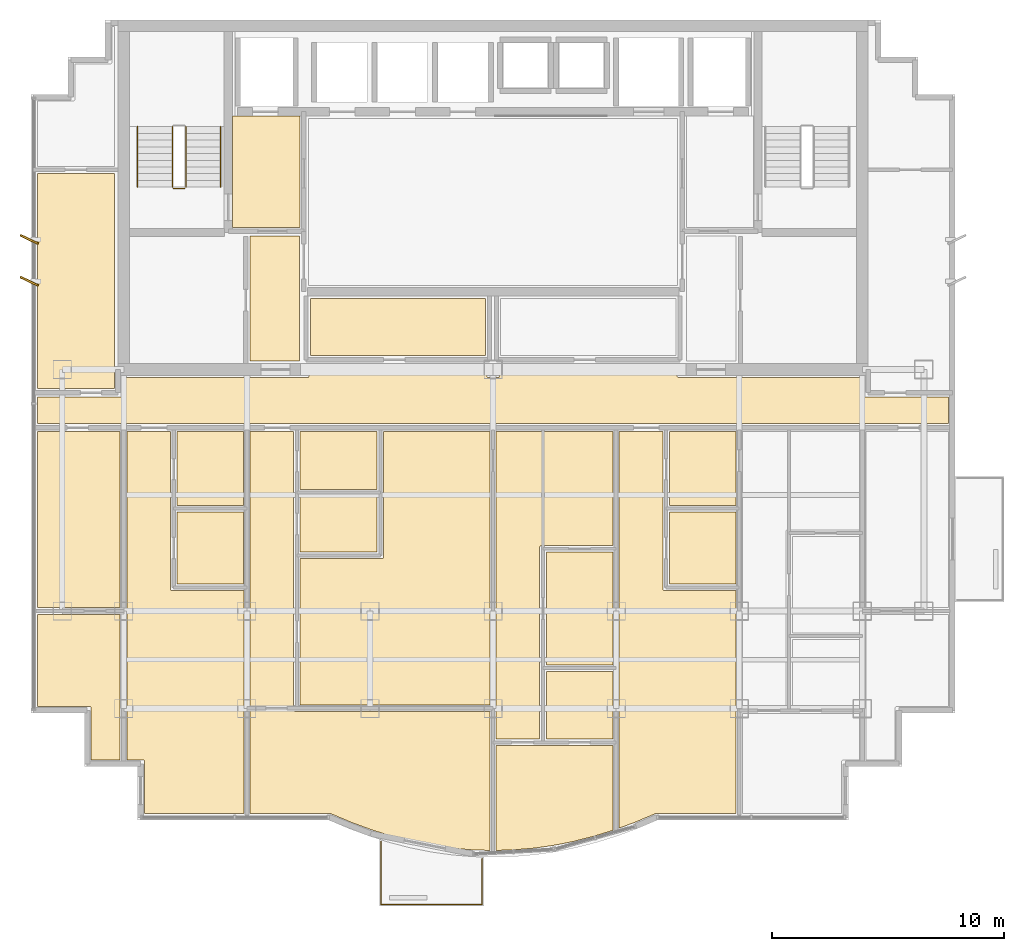
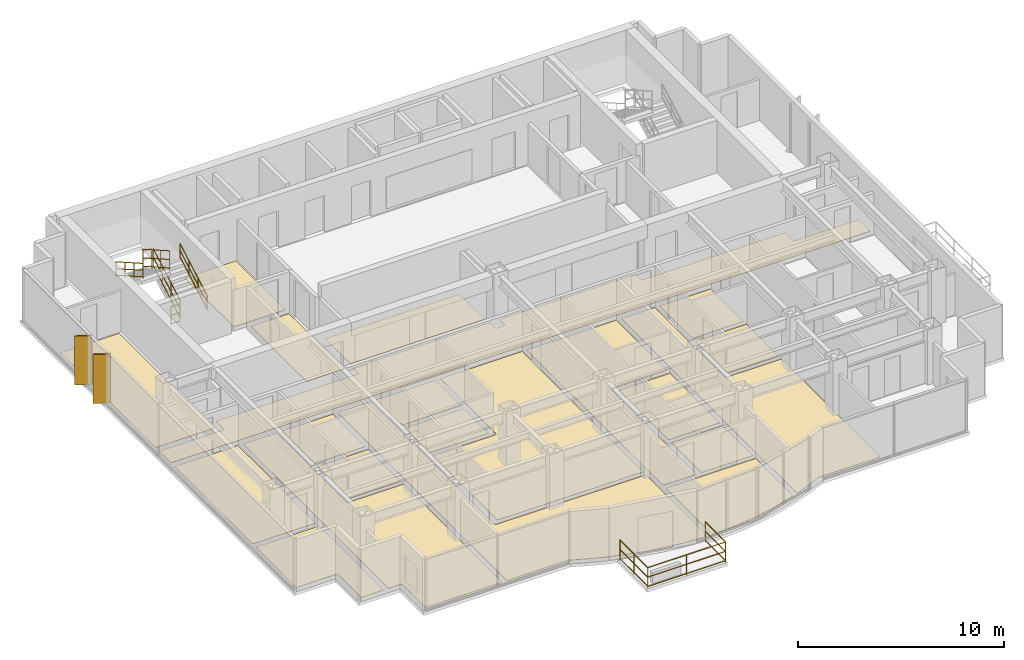
# One storey, part 10 of 11: 21 coverings, 6 railings, 2 shading devices.
"""IFC4 building model written with IfcOpenShell, lengths in metres."""

from ifc_helpers import new_model, si_unit, direction, frame, origin, origin_2d, place, context, subcontext, project, spatial, polyline, rectangle, circle, outline, extrude, source, transform, mapped, material, layer, layer_set, type_object, element, save


model = new_model("IFC4")

# Units and contexts
model_context = context("Model", 3, precision=1e-05, world=origin(), true_north=direction((0.0, 1.0)))
body_context = subcontext(model_context, "Body", "Model", "MODEL_VIEW")
ifc_project = project(units=[si_unit("LENGTHUNIT", "METRE"), si_unit("AREAUNIT", "SQUARE_METRE"), si_unit("VOLUMEUNIT", "CUBIC_METRE"), si_unit("PLANEANGLEUNIT", "RADIAN"), si_unit("MASSUNIT", "GRAM", prefix="KILO")], contexts=[model_context])

# Site, building, storey
site_placement = place(None, origin())
site = spatial("IfcSite", under=ifc_project, at=site_placement, CompositionType="ELEMENT")
building_placement = place(site_placement, origin())
building = spatial("IfcBuilding", under=site, at=building_placement, Name="Qianlan Lanfeng Residences", CompositionType="ELEMENT")
storey_placement = place(building_placement, frame((0.0, 0.0, 206.60009765625)))
storey = spatial("IfcBuildingStorey", under=building, at=storey_placement, Name="L56", CompositionType="ELEMENT", Elevation=206.60009765625)

# Coverings
ifc_material_1 = material(Name="Honed Taitung Granite Stone Flooring", Category="masonry")
ifc_layer_1 = layer(ifc_material_1, 0.030029296875)
ifc_layer_set_1 = layer_set([ifc_layer_1], Name="Honed Taitung Granite Stone Flooring")
covering_type_1 = type_object("IfcCoveringType", Name="FLR-STN-30", PredefinedType="FLOORING", material=ifc_layer_set_1)
covering_1_placement = place(storey_placement, origin())
element("IfcCovering", 1, at=covering_1_placement, inside=storey, type_object=covering_type_1, Name="L56 Firefighting Lift Lobby Floor Finish", PredefinedType="FLOORING", context=body_context, shape_type="SweptSolid", body=[
    extrude(outline(polyline([(15.2900390625, 31.320068359375), (18.179931640625, 31.320068359375), (18.179931640625, 36.110107421875), (15.2900390625, 36.110107421875), (15.2900390625, 31.320068359375)])), origin(), (0.0, 0.0, 1.0), 0.02978515625),
])
covering_2_placement = place(storey_placement, origin())
element("IfcCovering", 2, at=covering_2_placement, inside=storey, type_object=covering_type_1, Name="L56 Residential Corridor Floor Finish", PredefinedType="FLOORING", context=body_context, shape_type="SweptSolid", body=[
    extrude(outline(polyline([(6.889892578125, 22.8798828125), (46.110107421875, 22.8798828125), (46.110107421875, 24.02001953125), (42.5400390625, 24.02001953125), (42.532958984375, 24.02001953125), (42.52587890625, 24.02099609375), (42.52001953125, 24.02294921875), (42.512939453125, 24.02490234375), (42.507080078125, 24.028076171875), (42.5009765625, 24.031982421875), (42.49609375, 24.035888671875), (42.490966796875, 24.041015625), (42.486083984375, 24.0458984375), (42.48193359375, 24.051025390625), (42.47802734375, 24.056884765625), (42.47509765625, 24.06298828125), (42.472900390625, 24.070068359375), (42.470947265625, 24.075927734375), (42.469970703125, 24.0830078125), (42.469970703125, 24.090087890625), (42.469970703125, 24.85009765625), (34.5, 24.85009765625), (34.492919921875, 24.85009765625), (34.486083984375, 24.85107421875), (34.47998046875, 24.85302734375), (34.472900390625, 24.85498046875), (34.467041015625, 24.85791015625), (34.4609375, 24.862060546875), (34.4560546875, 24.865966796875), (34.450927734375, 24.87109375), (34.446044921875, 24.8759765625), (34.44189453125, 24.881103515625), (34.43798828125, 24.886962890625), (34.43505859375, 24.89306640625), (34.43310546875, 24.89990234375), (34.430908203125, 24.906005859375), (34.429931640625, 24.9130859375), (34.429931640625, 24.919921875), (34.429931640625, 25.429931640625), (26.77001953125, 25.429931640625), (26.77001953125, 24.919921875), (26.77001953125, 24.9130859375), (26.76904296875, 24.906005859375), (26.76708984375, 24.89990234375), (26.764892578125, 24.89306640625), (26.761962890625, 24.886962890625), (26.758056640625, 24.881103515625), (26.75390625, 24.8759765625), (26.7490234375, 24.87109375), (26.743896484375, 24.865966796875), (26.739013671875, 24.862060546875), (26.73291015625, 24.85791015625), (26.72705078125, 24.85498046875), (26.719970703125, 24.85302734375), (26.714111328125, 24.85107421875), (26.70703125, 24.85009765625), (26.699951171875, 24.85009765625), (26.300048828125, 24.85009765625), (26.29296875, 24.85009765625), (26.285888671875, 24.85107421875), (26.280029296875, 24.85302734375), (26.27294921875, 24.85498046875), (26.26708984375, 24.85791015625), (26.260986328125, 24.862060546875), (26.256103515625, 24.865966796875), (26.2509765625, 24.87109375), (26.24609375, 24.8759765625), (26.241943359375, 24.881103515625), (26.238037109375, 24.886962890625), (26.235107421875, 24.89306640625), (26.23291015625, 24.89990234375), (26.23095703125, 24.906005859375), (26.22998046875, 24.9130859375), (26.22998046875, 24.919921875), (26.22998046875, 25.429931640625), (18.570068359375, 25.429931640625), (18.570068359375, 24.919921875), (18.570068359375, 24.9130859375), (18.569091796875, 24.906005859375), (18.56689453125, 24.89990234375), (18.56494140625, 24.89306640625), (18.56201171875, 24.886962890625), (18.55810546875, 24.881103515625), (18.553955078125, 24.8759765625), (18.549072265625, 24.87109375), (18.5439453125, 24.865966796875), (18.5390625, 24.862060546875), (18.532958984375, 24.85791015625), (18.527099609375, 24.85498046875), (18.52001953125, 24.85302734375), (18.513916015625, 24.85107421875), (18.507080078125, 24.85009765625), (18.5, 24.85009765625), (10.530029296875, 24.85009765625), (10.530029296875, 24.090087890625), (10.530029296875, 24.0830078125), (10.529052734375, 24.075927734375), (10.527099609375, 24.070068359375), (10.52490234375, 24.06298828125), (10.52197265625, 24.056884765625), (10.51806640625, 24.051025390625), (10.513916015625, 24.0458984375), (10.509033203125, 24.041015625), (10.50390625, 24.035888671875), (10.4990234375, 24.031982421875), (10.492919921875, 24.028076171875), (10.487060546875, 24.02490234375), (10.47998046875, 24.02294921875), (10.47412109375, 24.02099609375), (10.467041015625, 24.02001953125), (10.4599609375, 24.02001953125), (6.889892578125, 24.02001953125), (6.889892578125, 22.8798828125)])), origin(), (0.0, 0.0, 1.0), 0.02978515625),
])
covering_3_placement = place(storey_placement, origin())
element("IfcCovering", 3, at=covering_3_placement, inside=storey, type_object=covering_type_1, Name="L56 Lift Lobby Floor Finish", PredefinedType="FLOORING", context=body_context, shape_type="SweptSolid", body=[
    extrude(outline(polyline([(16.030029296875, 25.56005859375), (18.169921875, 25.56005859375), (18.169921875, 30.949951171875), (16.030029296875, 30.949951171875), (16.030029296875, 25.56005859375)])), origin(), (0.0, 0.0, 1.0), 0.02978515625),
])
ifc_material_2 = material(Name="Slip-Resistant Porcelain Tile Flooring")
ifc_layer_2 = layer(ifc_material_2, 0.02001953125)
ifc_layer_set_2 = layer_set([ifc_layer_2], Name="Slip-Resistant Porcelain Tile Flooring")
covering_type_2 = type_object("IfcCoveringType", Name="FLR-TIL-20", PredefinedType="FLOORING", material=ifc_layer_set_2)
covering_4_placement = place(storey_placement, origin())
element("IfcCovering", 4, at=covering_4_placement, inside=storey, type_object=covering_type_2, Name="L56 Kitchen Floor Finish", PredefinedType="FLOORING", context=body_context, shape_type="SweptSolid", body=[
    extrude(outline(polyline([(12.889892578125, 15.9599609375), (15.760009765625, 15.9599609375), (15.760009765625, 19.070068359375), (12.889892578125, 19.070068359375), (12.889892578125, 15.9599609375)])), origin(), (0.0, 0.0, 1.0), 0.02001953125),
])
covering_5_placement = place(storey_placement, origin())
element("IfcCovering", 5, at=covering_5_placement, inside=storey, type_object=covering_type_2, Name="L56 Bathroom Floor Finish", PredefinedType="FLOORING", context=body_context, shape_type="SweptSolid", body=[
    extrude(outline(polyline([(12.889892578125, 19.35009765625), (15.760009765625, 19.35009765625), (15.760009765625, 22.530029296875), (12.889892578125, 22.530029296875), (12.889892578125, 19.35009765625)])), origin(), (0.0, 0.0, 1.0), 0.02001953125),
])
covering_6_placement = place(storey_placement, origin())
element("IfcCovering", 6, at=covering_6_placement, inside=storey, type_object=covering_type_2, Name="L56 Kitchen Floor Finish", PredefinedType="FLOORING", context=body_context, shape_type="SweptSolid", body=[
    extrude(outline(polyline([(18.18994140625, 17.340087890625), (21.510009765625, 17.340087890625), (21.510009765625, 19.760009765625), (18.18994140625, 19.760009765625), (18.18994140625, 17.340087890625)])), origin(), (0.0, 0.0, 1.0), 0.02001953125),
])
covering_7_placement = place(storey_placement, origin())
element("IfcCovering", 7, at=covering_7_placement, inside=storey, type_object=covering_type_2, Name="L56 Bathroom Floor Finish", PredefinedType="FLOORING", context=body_context, shape_type="SweptSolid", body=[
    extrude(outline(polyline([(18.18994140625, 20.0400390625), (21.510009765625, 20.0400390625), (21.510009765625, 22.530029296875), (18.18994140625, 22.530029296875), (18.18994140625, 20.0400390625)])), origin(), (0.0, 0.0, 1.0), 0.02001953125),
])
covering_8_placement = place(storey_placement, origin())
element("IfcCovering", 8, at=covering_8_placement, inside=storey, type_object=covering_type_2, Name="L56 En-Suite Bathroom Floor Finish", PredefinedType="FLOORING", context=body_context, shape_type="SweptSolid", body=[
    extrude(outline(polyline([(28.7900390625, 9.2880859375), (31.669921875, 9.2880859375), (31.669921875, 12.2080078125), (28.7900390625, 12.2080078125), (28.7900390625, 9.2880859375)])), origin(), (0.0, 0.0, 1.0), 0.02001953125),
])
covering_9_placement = place(storey_placement, origin())
element("IfcCovering", 9, at=covering_9_placement, inside=storey, type_object=covering_type_2, Name="L56 Kitchen Floor Finish", PredefinedType="FLOORING", context=body_context, shape_type="SweptSolid", body=[
    extrude(outline(polyline([(34.090087890625, 15.9599609375), (36.9599609375, 15.9599609375), (36.9599609375, 19.070068359375), (34.090087890625, 19.070068359375), (34.090087890625, 15.9599609375)])), origin(), (0.0, 0.0, 1.0), 0.02001953125),
])
covering_10_placement = place(storey_placement, origin())
element("IfcCovering", 10, at=covering_10_placement, inside=storey, type_object=covering_type_2, Name="L56 Bathroom Floor Finish", PredefinedType="FLOORING", context=body_context, shape_type="SweptSolid", body=[
    extrude(outline(polyline([(34.090087890625, 19.35009765625), (36.9599609375, 19.35009765625), (36.9599609375, 22.530029296875), (34.090087890625, 22.530029296875), (34.090087890625, 19.35009765625)])), origin(), (0.0, 0.0, 1.0), 0.02001953125),
])
ifc_material_3 = material(Name="Engineered Smoked Oak Timber Flooring", Category="wood")
ifc_layer_3 = layer(ifc_material_3, 0.02197265625)
ifc_layer_set_3 = layer_set([ifc_layer_3], Name="Engineered Smoked Oak Timber Flooring")
covering_type_3 = type_object("IfcCoveringType", Name="FLR-TIM-22", PredefinedType="FLOORING", material=ifc_layer_set_3)
covering_11_placement = place(storey_placement, origin())
element("IfcCovering", 11, at=covering_11_placement, inside=storey, type_object=covering_type_3, Name="L56 Resident Reading Lounge Floor Finish", PredefinedType="FLOORING", context=body_context, shape_type="SweptSolid", body=[
    extrude(outline(polyline([(18.6298828125, 25.800048828125), (26.169921875, 25.800048828125), (26.169921875, 28.2548828125), (18.6298828125, 28.2548828125), (18.6298828125, 25.800048828125)])), origin(), (0.0, 0.0, 1.0), 0.02197265625),
])
covering_12_placement = place(storey_placement, origin())
element("IfcCovering", 12, at=covering_12_placement, inside=storey, type_object=covering_type_3, Name="L56 Studio Living Room Floor Finish", PredefinedType="FLOORING", context=body_context, shape_type="SweptSolid", body=[
    extrude(outline(polyline([(15.77001953125, 6.090087890625), (15.77001953125, 15.679931640625), (12.679931640625, 15.679931640625), (12.673095703125, 15.679931640625), (12.666015625, 15.680908203125), (12.659912109375, 15.68310546875), (12.653076171875, 15.68505859375), (12.64697265625, 15.68798828125), (12.64111328125, 15.69189453125), (12.635986328125, 15.696044921875), (12.631103515625, 15.700927734375), (12.6259765625, 15.7060546875), (12.6220703125, 15.7109375), (12.617919921875, 15.717041015625), (12.614990234375, 15.722900390625), (12.613037109375, 15.72998046875), (12.611083984375, 15.736083984375), (12.610107421875, 15.742919921875), (12.610107421875, 15.75), (12.610107421875, 22.530029296875), (10.72998046875, 22.530029296875), (10.72998046875, 8.389892578125), (11.419921875, 8.389892578125), (11.427001953125, 8.389892578125), (11.43408203125, 8.388916015625), (11.43994140625, 8.386962890625), (11.447021484375, 8.385009765625), (11.452880859375, 8.382080078125), (11.458984375, 8.3779296875), (11.464111328125, 8.3740234375), (11.468994140625, 8.368896484375), (11.47412109375, 8.364013671875), (11.47802734375, 8.35888671875), (11.48193359375, 8.35302734375), (11.485107421875, 8.346923828125), (11.487060546875, 8.340087890625), (11.489013671875, 8.333984375), (11.489990234375, 8.326904296875), (11.489990234375, 8.320068359375), (11.489990234375, 6.090087890625), (15.77001953125, 6.090087890625)])), origin(), (0.0, 0.0, 1.0), 0.02197265625),
])
covering_13_placement = place(storey_placement, origin())
element("IfcCovering", 13, at=covering_13_placement, inside=storey, type_object=covering_type_3, Name="L56 Living and Dining Room Floor Finish", PredefinedType="FLOORING", context=body_context, shape_type="SweptSolid", body=[
    extrude(outline(polyline([(26.3701171875, 4.493896484375), (26.3701171875, 10.47412109375), (17.97998046875, 10.47412109375), (17.972900390625, 10.47412109375), (17.966064453125, 10.47509765625), (17.9599609375, 10.47705078125), (17.952880859375, 10.47900390625), (17.947021484375, 10.48193359375), (17.94091796875, 10.486083984375), (17.93603515625, 10.489990234375), (17.930908203125, 10.4951171875), (17.926025390625, 10.5), (17.922119140625, 10.5048828125), (17.91796875, 10.510986328125), (17.9150390625, 10.51708984375), (17.9130859375, 10.52392578125), (17.910888671875, 10.530029296875), (17.909912109375, 10.537109375), (17.909912109375, 10.5439453125), (17.909912109375, 22.530029296875), (16.030029296875, 22.530029296875), (16.030029296875, 6.090087890625), (19.465087890625, 6.090087890625), (19.471923828125, 6.090087890625), (19.47900390625, 6.089111328125), (19.485107421875, 6.0869140625), (19.491943359375, 6.083984375), (20.412109375, 5.695068359375), (21.282958984375, 5.375), (22.154052734375, 5.10400390625), (23.02392578125, 4.883056640625), (23.89306640625, 4.7109375), (24.762939453125, 4.587890625), (25.631103515625, 4.514892578125), (26.3701171875, 4.493896484375)])), origin(), (0.0, 0.0, 1.0), 0.02197265625),
])
covering_14_placement = place(storey_placement, origin())
element("IfcCovering", 14, at=covering_14_placement, inside=storey, type_object=covering_type_3, Name="L56 Villa Family Sitting Room Floor Finish", PredefinedType="FLOORING", context=body_context, shape_type="SweptSolid", body=[
    extrude(outline(polyline([(18.18994140625, 10.75390625), (26.3701171875, 10.75390625), (26.3701171875, 22.530029296875), (21.7900390625, 22.530029296875), (21.7900390625, 17.1298828125), (21.7900390625, 17.123046875), (21.7890625, 17.115966796875), (21.787109375, 17.110107421875), (21.784912109375, 17.10302734375), (21.781982421875, 17.096923828125), (21.778076171875, 17.091064453125), (21.77392578125, 17.0859375), (21.76904296875, 17.0810546875), (21.763916015625, 17.075927734375), (21.759033203125, 17.072021484375), (21.7529296875, 17.068115234375), (21.7470703125, 17.06494140625), (21.739990234375, 17.06298828125), (21.73388671875, 17.06103515625), (21.72705078125, 17.06005859375), (21.719970703125, 17.06005859375), (18.18994140625, 17.06005859375), (18.18994140625, 10.75390625)])), origin(), (0.0, 0.0, 1.0), 0.02197265625),
])
covering_15_placement = place(storey_placement, origin())
element("IfcCovering", 15, at=covering_15_placement, inside=storey, type_object=covering_type_3, Name="L56 Private Study Floor Finish", PredefinedType="FLOORING", context=body_context, shape_type="SweptSolid", body=[
    extrude(outline(polyline([(28.7900390625, 12.488037109375), (31.669921875, 12.488037109375), (31.669921875, 17.333984375), (28.7900390625, 17.333984375), (28.7900390625, 12.488037109375)])), origin(), (0.0, 0.0, 1.0), 0.02197265625),
])
covering_16_placement = place(storey_placement, origin())
element("IfcCovering", 16, at=covering_16_placement, inside=storey, type_object=covering_type_3, Name="L56 Villa Family Sitting Room Floor Finish", PredefinedType="FLOORING", context=body_context, shape_type="SweptSolid", body=[
    extrude(outline(polyline([(26.6298828125, 9.2880859375), (28.510009765625, 9.2880859375), (28.510009765625, 17.5439453125), (28.510009765625, 17.551025390625), (28.510986328125, 17.55810546875), (28.512939453125, 17.56396484375), (28.514892578125, 17.571044921875), (28.51806640625, 17.576904296875), (28.52197265625, 17.5830078125), (28.52587890625, 17.587890625), (28.531005859375, 17.593017578125), (28.535888671875, 17.597900390625), (28.541015625, 17.60205078125), (28.547119140625, 17.60595703125), (28.552978515625, 17.60888671875), (28.56005859375, 17.611083984375), (28.56591796875, 17.613037109375), (28.572998046875, 17.614013671875), (28.580078125, 17.614013671875), (31.669921875, 17.614013671875), (31.669921875, 22.530029296875), (26.6298828125, 22.530029296875), (26.6298828125, 9.2880859375)])), origin(), (0.0, 0.0, 1.0), 0.02197265625),
])
covering_17_placement = place(storey_placement, origin())
element("IfcCovering", 17, at=covering_17_placement, inside=storey, type_object=covering_type_3, Name="L56 Master Bedroom Floor Finish", PredefinedType="FLOORING", context=body_context, shape_type="SweptSolid", body=[
    extrude(outline(polyline([(26.6298828125, 9.008056640625), (26.6298828125, 4.493896484375), (27.368896484375, 4.514892578125), (28.237060546875, 4.587890625), (29.10693359375, 4.7109375), (29.97607421875, 4.883056640625), (30.845947265625, 5.10400390625), (31.669921875, 5.360107421875), (31.669921875, 9.008056640625), (26.6298828125, 9.008056640625)])), origin(), (0.0, 0.0, 1.0), 0.02197265625),
])
covering_18_placement = place(storey_placement, origin())
element("IfcCovering", 18, at=covering_18_placement, inside=storey, type_object=covering_type_3, Name="L56 Living and Dining Room Floor Finish", PredefinedType="FLOORING", context=body_context, shape_type="SweptSolid", body=[
    extrude(outline(polyline([(36.969970703125, 6.090087890625), (36.969970703125, 15.679931640625), (33.8798828125, 15.679931640625), (33.873046875, 15.679931640625), (33.865966796875, 15.680908203125), (33.860107421875, 15.68310546875), (33.85302734375, 15.68505859375), (33.846923828125, 15.68798828125), (33.841064453125, 15.69189453125), (33.8359375, 15.696044921875), (33.8310546875, 15.700927734375), (33.825927734375, 15.7060546875), (33.822021484375, 15.7109375), (33.818115234375, 15.717041015625), (33.81494140625, 15.722900390625), (33.81298828125, 15.72998046875), (33.81103515625, 15.736083984375), (33.81005859375, 15.742919921875), (33.81005859375, 15.75), (33.81005859375, 22.530029296875), (31.929931640625, 22.530029296875), (31.929931640625, 5.452880859375), (32.587890625, 5.695068359375), (33.508056640625, 6.083984375), (33.514892578125, 6.0869140625), (33.52099609375, 6.089111328125), (33.528076171875, 6.090087890625), (33.534912109375, 6.090087890625), (36.969970703125, 6.090087890625)])), origin(), (0.0, 0.0, 1.0), 0.02197265625),
])
covering_19_placement = place(storey_placement, origin())
element("IfcCovering", 19, at=covering_19_placement, inside=storey, type_object=covering_type_3, Name="L56 Sunroom Floor Finish", PredefinedType="FLOORING", context=body_context, shape_type="SweptSolid", body=[
    extrude(outline(polyline([(10.43994140625, 14.64990234375), (6.889892578125, 14.64990234375), (6.889892578125, 10.68994140625), (9.1201171875, 10.68994140625), (9.126953125, 10.68994140625), (9.134033203125, 10.68896484375), (9.139892578125, 10.68701171875), (9.14697265625, 10.68505859375), (9.153076171875, 10.681884765625), (9.158935546875, 10.677978515625), (9.1640625, 10.674072265625), (9.1689453125, 10.6689453125), (9.174072265625, 10.6640625), (9.177978515625, 10.658935546875), (9.181884765625, 10.653076171875), (9.18505859375, 10.64697265625), (9.18701171875, 10.639892578125), (9.18896484375, 10.634033203125), (9.18994140625, 10.626953125), (9.18994140625, 10.6201171875), (9.18994140625, 8.389892578125), (10.43994140625, 8.389892578125), (10.43994140625, 14.64990234375)])), origin(), (0.0, 0.0, 1.0), 0.02197265625),
])
covering_20_placement = place(storey_placement, origin())
element("IfcCovering", 20, at=covering_20_placement, inside=storey, type_object=covering_type_3, Name="L56 Family Sitting Room Floor Finish", PredefinedType="FLOORING", context=body_context, shape_type="SweptSolid", body=[
    extrude(outline(polyline([(10.43994140625, 22.530029296875), (6.889892578125, 22.530029296875), (6.889892578125, 14.949951171875), (10.43994140625, 14.949951171875), (10.43994140625, 22.530029296875)])), origin(), (0.0, 0.0, 1.0), 0.02197265625),
])
covering_21_placement = place(storey_placement, origin())
element("IfcCovering", 21, at=covering_21_placement, inside=storey, type_object=covering_type_3, Name="L56 Boardroom Suite Floor Finish", PredefinedType="FLOORING", context=body_context, shape_type="SweptSolid", body=[
    extrude(outline(polyline([(10.199951171875, 33.64990234375), (6.889892578125, 33.64990234375), (6.889892578125, 24.3798828125), (10.199951171875, 24.3798828125), (10.199951171875, 33.64990234375)])), origin(), (0.0, 0.0, 1.0), 0.02197265625),
])

# Railings
ifc_material_4 = material(Name="Anodised Bronze Aluminium and Laminated Glass Guard Balustrade", Category="aluminium")
railing_type_1 = type_object("IfcRailingType", Name="GR-EXT-1220", PredefinedType="BALUSTRADE", material=ifc_material_4)
railing_1_placement = place(storey_placement, frame((26.030029296875, 4.14306640625, 0.0)))
element("IfcRailing", 22, at=railing_1_placement, inside=storey, type_object=railing_type_1, Name="L56 Terrace Safety Guard GR-L56-SB-C", PredefinedType="BALUSTRADE", context=body_context, shape_type="SweptSolid", body=[
    extrude(circle(Radius=0.02490234375, at=origin_2d()), frame((0.0, 0.0, 0.0849609375), z_axis=(0.0, -1.0, 0.0), x_axis=(1.0, 0.0, 0.0)), (0.0, 0.0, 1.0), 1.97314453125),
    extrude(circle(Radius=0.02490234375, at=origin_2d()), frame((0.0, 0.0, 0.63427734375), z_axis=(0.0, -1.0, 0.0), x_axis=(1.0, 0.0, 0.0)), (0.0, 0.0, 1.0), 1.97314453125),
    extrude(circle(Radius=0.02490234375, at=origin_2d()), frame((0.0, 0.0, 1.19482421875), z_axis=(0.0, -1.0, 0.0), x_axis=(1.0, 0.0, 0.0)), (0.0, 0.0, 1.0), 1.97314453125),
    extrude(circle(Radius=0.02490234375, at=origin_2d()), frame((0.0, -1.97314453125, 0.0849609375), z_axis=(-1.0, 0.0, 0.0), x_axis=(0.0, -1.0, 0.0)), (0.0, 0.0, 1.0), 4.360107421875),
    extrude(circle(Radius=0.02490234375, at=origin_2d()), frame((0.0, -1.97314453125, 0.63427734375), z_axis=(-1.0, 0.0, 0.0), x_axis=(0.0, -1.0, 0.0)), (0.0, 0.0, 1.0), 4.360107421875),
    extrude(circle(Radius=0.02490234375, at=origin_2d()), frame((0.0, -1.97314453125, 1.19482421875), z_axis=(-1.0, 0.0, 0.0), x_axis=(0.0, -1.0, 0.0)), (0.0, 0.0, 1.0), 4.360107421875),
    extrude(circle(Radius=0.02490234375, at=origin_2d()), frame((-4.360107421875, -1.97314453125, 0.0849609375), z_axis=(0.0, 1.0, 0.0), x_axis=(-1.0, 0.0, 0.0)), (0.0, 0.0, 1.0), 2.7080078125),
    extrude(circle(Radius=0.02490234375, at=origin_2d()), frame((-4.360107421875, -1.97314453125, 0.63427734375), z_axis=(0.0, 1.0, 0.0), x_axis=(-1.0, 0.0, 0.0)), (0.0, 0.0, 1.0), 2.7080078125),
    extrude(circle(Radius=0.02490234375, at=origin_2d()), frame((-4.360107421875, -1.97314453125, 1.19482421875), z_axis=(0.0, 1.0, 0.0), x_axis=(-1.0, 0.0, 0.0)), (0.0, 0.0, 1.0), 2.7080078125),
    extrude(circle(Radius=0.02099609375, at=origin_2d()), origin(), (0.0, 0.0, 1.0), 1.169921875),
    extrude(circle(Radius=0.02099609375, at=origin_2d()), frame((0.0, -1.97314453125, 0.0)), (0.0, 0.0, 1.0), 1.169921875),
    extrude(circle(Radius=0.02099609375, at=origin_2d()), frame((-2.18017578125, -1.97314453125, 0.0)), (0.0, 0.0, 1.0), 1.169921875),
    extrude(circle(Radius=0.02099609375, at=origin_2d()), frame((-4.360107421875, -1.97314453125, 0.0)), (0.0, 0.0, 1.0), 1.169921875),
    extrude(circle(Radius=0.02099609375, at=origin_2d()), frame((-4.360107421875, -0.619140625, 0.0)), (0.0, 0.0, 1.0), 1.169921875),
    extrude(circle(Radius=0.02099609375, at=origin_2d()), frame((-4.360107421875, 0.73486328125, 0.0)), (0.0, 0.0, 1.0), 1.169921875),
])
ifc_material_5 = material(Name="Painted Galvanised Steel Guardrail", Category="steel")
railing_type_2 = type_object("IfcRailingType", Name="GR-ST-1120", PredefinedType="GUARDRAIL", material=ifc_material_5)
railing_2_placement = place(storey_placement, frame((13.27001953125, 33.050048828125, 0.164794921875)))
element("IfcRailing", 23, at=railing_2_placement, inside=storey, type_object=railing_type_2, Name="L56 ST-1 stair guard 1", PredefinedType="GUARDRAIL", context=body_context, shape_type="SweptSolid", body=[
    extrude(circle(Radius=0.02392578125, at=origin_2d()), frame((0.0, 0.0, 0.083984375), z_axis=(0.0, 0.869137319866, 0.494570843475), x_axis=(-1.0, 0.0, 0.0)), (0.0, 0.0, 1.0), 3.0029296875),
    extrude(circle(Radius=0.02392578125, at=origin_2d()), frame((0.0, 0.0, 0.58251953125), z_axis=(0.0, 0.869137319866, 0.494570843475), x_axis=(-1.0, 0.0, 0.0)), (0.0, 0.0, 1.0), 3.0029296875),
    extrude(circle(Radius=0.02392578125, at=origin_2d()), frame((0.0, 0.0, 1.09619140625), z_axis=(0.0, 0.869137319866, 0.494570843475), x_axis=(-1.0, 0.0, 0.0)), (0.0, 0.0, 1.0), 3.0029296875),
    extrude(circle(Radius=0.02099609375, at=origin_2d()), origin(), (0.0, 0.0, 1.0), 1.072021484375),
    extrude(circle(Radius=0.02099609375, at=origin_2d()), frame((0.0, 0.869873046875, 0.4951171875)), (0.0, 0.0, 1.0), 1.072021484375),
    extrude(circle(Radius=0.02099609375, at=origin_2d()), frame((0.0, 1.739990234375, 0.989990234375)), (0.0, 0.0, 1.0), 1.072021484375),
    extrude(circle(Radius=0.02099609375, at=origin_2d()), frame((0.0, 2.60986328125, 1.485107421875)), (0.0, 0.0, 1.0), 1.072021484375),
])
railing_3_placement = place(storey_placement, frame((12.68994140625, 35.659912109375, 1.81494140625)))
element("IfcRailing", 24, at=railing_3_placement, inside=storey, type_object=railing_type_2, Name="L56 ST-1 stair guard 3", PredefinedType="GUARDRAIL", context=body_context, shape_type="SweptSolid", body=[
    extrude(circle(Radius=0.02392578125, at=origin_2d()), frame((0.0, 0.0, 0.083984375), z_axis=(0.0, -0.869172267526, 0.494509422927), x_axis=(1.0, 0.0, 0.0)), (0.0, 0.0, 1.0), 3.002685546875),
    extrude(circle(Radius=0.02392578125, at=origin_2d()), frame((0.0, 0.0, 0.58251953125), z_axis=(0.0, -0.869172267526, 0.494509422927), x_axis=(1.0, 0.0, 0.0)), (0.0, 0.0, 1.0), 3.002685546875),
    extrude(circle(Radius=0.02392578125, at=origin_2d()), frame((0.0, 0.0, 1.09619140625), z_axis=(0.0, -0.869172267526, 0.494509422927), x_axis=(1.0, 0.0, 0.0)), (0.0, 0.0, 1.0), 3.002685546875),
    extrude(circle(Radius=0.02099609375, at=origin_2d()), origin(), (0.0, 0.0, 1.0), 1.072021484375),
    extrude(circle(Radius=0.02099609375, at=origin_2d()), frame((0.0, -0.869873046875, 0.494873046875)), (0.0, 0.0, 1.0), 1.072021484375),
    extrude(circle(Radius=0.02099609375, at=origin_2d()), frame((0.0, -1.739990234375, 0.989990234375)), (0.0, 0.0, 1.0), 1.072021484375),
    extrude(circle(Radius=0.02099609375, at=origin_2d()), frame((0.0, -2.60986328125, 1.48486328125)), (0.0, 0.0, 1.0), 1.072021484375),
])
railing_4_placement = place(storey_placement, frame((13.219970703125, 33.0, 0.0)))
element("IfcRailing", 25, at=railing_4_placement, inside=storey, type_object=railing_type_2, Name="L56 ST-1 stair guard 4", PredefinedType="GUARDRAIL", context=body_context, shape_type="SweptSolid", body=[
    extrude(circle(Radius=0.02392578125, at=origin_2d()), frame((0.0, 0.0, 0.083984375), z_axis=(-1.0, 0.0, 0.0), x_axis=(0.0, -1.0, 0.0)), (0.0, 0.0, 1.0), 0.47998046875),
    extrude(circle(Radius=0.02392578125, at=origin_2d()), frame((0.0, 0.0, 0.58251953125), z_axis=(-1.0, 0.0, 0.0), x_axis=(0.0, -1.0, 0.0)), (0.0, 0.0, 1.0), 0.47998046875),
    extrude(circle(Radius=0.02392578125, at=origin_2d()), frame((0.0, 0.0, 1.09619140625), z_axis=(-1.0, 0.0, 0.0), x_axis=(0.0, -1.0, 0.0)), (0.0, 0.0, 1.0), 0.47998046875),
    extrude(circle(Radius=0.02099609375, at=origin_2d()), origin(), (0.0, 0.0, 1.0), 1.072021484375),
    extrude(circle(Radius=0.02099609375, at=origin_2d()), frame((-0.47998046875, 0.0, 0.0)), (0.0, 0.0, 1.0), 1.072021484375),
])
ifc_material_6 = material(Name="Brushed Stainless Steel Handrail", Category="steel")
railing_type_3 = type_object("IfcRailingType", Name="HR-ST-920", PredefinedType="HANDRAIL", material=ifc_material_6)
railing_5_placement = place(storey_placement, frame((14.77001953125, 33.050048828125, 0.164794921875)))
element("IfcRailing", 26, at=railing_5_placement, inside=storey, type_object=railing_type_3, Name="L56 ST-1 stair handrail 1", PredefinedType="HANDRAIL", context=body_context, shape_type="SweptSolid", body=[
    extrude(circle(Radius=0.02392578125, at=origin_2d()), frame((0.0, 0.0, 0.083984375), z_axis=(0.0, 0.869137319866, 0.494570843475), x_axis=(-1.0, 0.0, 0.0)), (0.0, 0.0, 1.0), 3.0029296875),
    extrude(circle(Radius=0.02392578125, at=origin_2d()), frame((0.0, 0.0, 0.468017578125), z_axis=(0.0, 0.869137319866, 0.494570843475), x_axis=(-1.0, 0.0, 0.0)), (0.0, 0.0, 1.0), 3.0029296875),
    extrude(circle(Radius=0.02392578125, at=origin_2d()), frame((0.0, 0.0, 0.8759765625), z_axis=(0.0, 0.869137319866, 0.494570843475), x_axis=(-1.0, 0.0, 0.0)), (0.0, 0.0, 1.0), 3.0029296875),
    extrude(circle(Radius=0.02099609375, at=origin_2d()), origin(), (0.0, 0.0, 1.0), 0.851806640625),
    extrude(circle(Radius=0.02099609375, at=origin_2d()), frame((0.0, 0.869873046875, 0.4951171875)), (0.0, 0.0, 1.0), 0.851806640625),
    extrude(circle(Radius=0.02099609375, at=origin_2d()), frame((0.0, 1.739990234375, 0.989990234375)), (0.0, 0.0, 1.0), 0.851806640625),
    extrude(circle(Radius=0.02099609375, at=origin_2d()), frame((0.0, 2.60986328125, 1.485107421875)), (0.0, 0.0, 1.0), 0.851806640625),
])
railing_6_placement = place(storey_placement, frame((11.18994140625, 35.659912109375, 1.81494140625)))
element("IfcRailing", 27, at=railing_6_placement, inside=storey, type_object=railing_type_3, Name="L56 ST-1 stair handrail 2", PredefinedType="HANDRAIL", context=body_context, shape_type="SweptSolid", body=[
    extrude(circle(Radius=0.02392578125, at=origin_2d()), frame((0.0, 0.0, 0.083984375), z_axis=(0.0, -0.869172267526, 0.494509422927), x_axis=(1.0, 0.0, 0.0)), (0.0, 0.0, 1.0), 3.002685546875),
    extrude(circle(Radius=0.02392578125, at=origin_2d()), frame((0.0, 0.0, 0.468017578125), z_axis=(0.0, -0.869172267526, 0.494509422927), x_axis=(1.0, 0.0, 0.0)), (0.0, 0.0, 1.0), 3.002685546875),
    extrude(circle(Radius=0.02392578125, at=origin_2d()), frame((0.0, 0.0, 0.8759765625), z_axis=(0.0, -0.869172267526, 0.494509422927), x_axis=(1.0, 0.0, 0.0)), (0.0, 0.0, 1.0), 3.002685546875),
    extrude(circle(Radius=0.02099609375, at=origin_2d()), origin(), (0.0, 0.0, 1.0), 0.851806640625),
    extrude(circle(Radius=0.02099609375, at=origin_2d()), frame((0.0, -0.869873046875, 0.494873046875)), (0.0, 0.0, 1.0), 0.851806640625),
    extrude(circle(Radius=0.02099609375, at=origin_2d()), frame((0.0, -1.739990234375, 0.989990234375)), (0.0, 0.0, 1.0), 0.851806640625),
    extrude(circle(Radius=0.02099609375, at=origin_2d()), frame((0.0, -2.60986328125, 1.48486328125)), (0.0, 0.0, 1.0), 0.851806640625),
])

# Shading devices
ifc_material_7 = material(Name="Anodised Bronze Aluminium Solar Fin", Category="aluminium")
shading_device_type = type_object("IfcShadingDeviceType", Name="FIN-BRZ-850", PredefinedType="SHUTTER", material=ifc_material_7)
shared_shape = source(origin(), body_context, "Body", "SweptSolid", [
    extrude(rectangle(XDim=0.85009765625, YDim=0.080078125, at=origin_2d()), origin(), (0.0, 0.0, 1.0), 2.89990234375),
])
for number, where, z_axis, x_axis, name in (
    (28, (6.530029296875, 29.0, 0.0), (0.0, 0.0, 1.0), (0.898794046299, -0.438371146789, 0.0), "L56 Raked Bronze Solar Fin W1"),
    (29, (6.530029296875, 30.800048828125, 0.0), (0.0, 0.0, 1.0), (0.898794046299, -0.438371146789, 0.0), "L56 Raked Bronze Solar Fin W2"),
):
    element("IfcShadingDevice", number, at=place(storey_placement, frame(where, z_axis=z_axis, x_axis=x_axis)), inside=storey, type_object=shading_device_type, Name=name, PredefinedType="SHUTTER", context=body_context, shape_type="MappedRepresentation", body=[
        mapped(shared_shape, transform((0.0, 0.0, 0.0), scale=1.0)),
    ])

save(model, "model.ifc")
